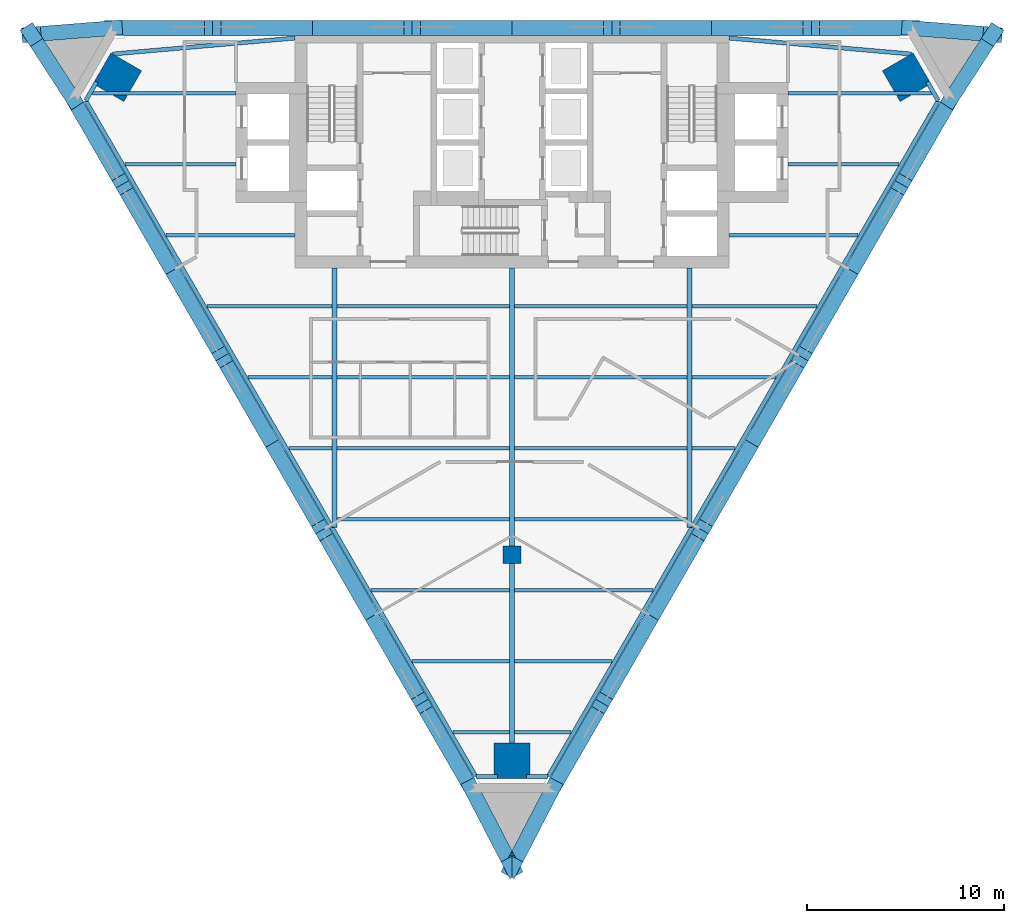
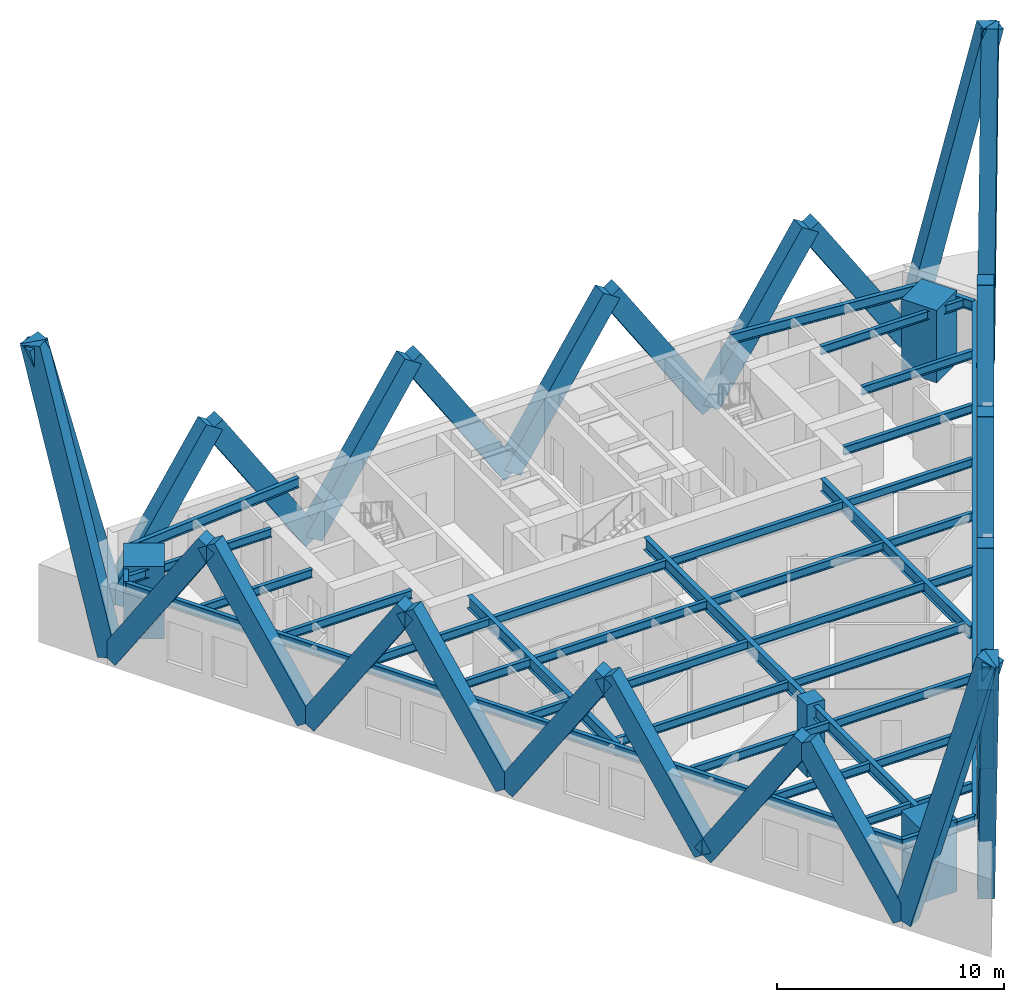
# One storey, part 1 of 8: 38 beams, 30 members, 4 columns.
"""IFC4 building model written with IfcOpenShell, lengths in metres."""

from ifc_helpers import new_model, si_unit, direction, frame, origin, origin_2d, place, context, subcontext, project, spatial, rectangle, i_section, extrude, material, material_profile, profile_set, type_object, element, save


model = new_model("IFC4")

# Units and contexts
model_context = context("Model", 3, precision=1e-05, world=origin(), true_north=direction((0.0, 1.0)))
body_context = subcontext(model_context, "Body", "Model", "MODEL_VIEW")
ifc_project = project(units=[si_unit("LENGTHUNIT", "METRE"), si_unit("AREAUNIT", "SQUARE_METRE"), si_unit("VOLUMEUNIT", "CUBIC_METRE"), si_unit("PLANEANGLEUNIT", "RADIAN"), si_unit("MASSUNIT", "GRAM", prefix="KILO")], contexts=[model_context])

# Site, building, storey
site_placement = place(None, origin())
site = spatial("IfcSite", under=ifc_project, at=site_placement, CompositionType="ELEMENT")
building_placement = place(site_placement, origin())
building = spatial("IfcBuilding", under=site, at=building_placement, Name="Aloe Facet Convention Tower", CompositionType="ELEMENT")
storey_placement = place(building_placement, frame((0.0, 0.0, 128.60009765625)))
storey = spatial("IfcBuildingStorey", under=building, at=storey_placement, Name="L32", CompositionType="ELEMENT", Elevation=128.60009765625)

# Columns
ifc_material_1 = material(Name="Concrete C70/85", Category="concrete")
ifc_material_profile_1 = material_profile(ifc_material_1, rectangle(XDim=0.89990234375, YDim=0.89990234375, at=origin_2d()), Name="SF-GC-Z3")
ifc_profile_set_1 = profile_set([ifc_material_profile_1], Name="Concrete C70/85")
column_type_1 = type_object("IfcColumnType", Name="SF-GC-Z3", PredefinedType="COLUMN", material=ifc_profile_set_1)
column_placement = place(storey_placement, frame((80.0, 108.0, 0.0), z_axis=(0.0, 0.0, 1.0), x_axis=(1.0, 0.0, 0.0)))
element("IfcColumn", 1, at=column_placement, inside=storey, type_object=column_type_1, Name="Gravity column GC-Z3-9D", PredefinedType="COLUMN", context=body_context, shape_type="SweptSolid", body=[
    extrude(rectangle(XDim=0.89990234375, YDim=0.89990234375, at=origin_2d()), origin(), (0.0, 0.0, 1.0), 3.89990234375),
])
ifc_material_2 = material(Name="Concrete C80/95", Category="concrete")
ifc_material_profile_2 = material_profile(ifc_material_2, rectangle(XDim=1.800048828125, YDim=1.800048828125, at=origin_2d()), Name="STW-MC-Z3")
ifc_profile_set_2 = profile_set([ifc_material_profile_2], Name="Concrete C80/95")
column_type_2 = type_object("IfcColumnType", Name="STW-MC-Z3", PredefinedType="COLUMN", material=ifc_profile_set_2)
for number, where, z_axis, x_axis, name in (
    (2, (100.00732421875, 132.208251953125, 0.0), (0.0, 0.0, 1.0), (-0.5, 0.866025403784, 0.0), "Mega-column MC-NE-L32"),
    (3, (59.99267578125, 132.208251953125, 0.0), (0.0, 0.0, 1.0), (-0.5, -0.866025403784, 0.0), "Mega-column MC-NW-L32"),
    (4, (80.0, 97.55419921875, 0.0), (0.0, 0.0, 1.0), (1.0, 0.0, 0.0), "Mega-column MC-S-L32"),
):
    element("IfcColumn", number, at=place(storey_placement, frame(where, z_axis=z_axis, x_axis=x_axis)), inside=storey, type_object=column_type_2, Name=name, PredefinedType="COLUMN", context=body_context, shape_type="SweptSolid", body=[
        extrude(rectangle(XDim=1.800048828125, YDim=1.800048828125, at=origin_2d()), origin(), (0.0, 0.0, 1.0), 3.89990234375),
    ])

# Beams
ifc_material_3 = material(Name="Steel S355", Category="steel")
ifc_material_profile_3 = material_profile(ifc_material_3, i_section(OverallWidth=0.19140625, OverallDepth=0.4599609375, WebThickness=0.010009765625, FlangeThickness=0.01611328125, FilletRadius=0.01025390625, at=origin_2d()), Name="UB 457x191x82")
ifc_profile_set_3 = profile_set([ifc_material_profile_3], Name="Steel S355")
beam_type_1 = type_object("IfcBeamType", Name="SF-B-UB457x191x82", PredefinedType="BEAM", material=ifc_profile_set_3)
beam_1_placement = place(storey_placement, frame((58.73828125, 131.39990234375, 3.52001953125), z_axis=(1.0, 0.0, 0.0), x_axis=(0.0, 1.0, 0.0)))
element("IfcBeam", 5, at=beam_1_placement, inside=storey, type_object=beam_type_1, Name="Floor beam FB-Z3B-013", PredefinedType="BEAM", context=body_context, shape_type="SweptSolid", body=[
    extrude(i_section(OverallWidth=0.19140625, OverallDepth=0.4599609375, WebThickness=0.010009765625, FlangeThickness=0.01611328125, FilletRadius=0.01025390625, at=origin_2d()), origin(), (0.0, 0.0, 1.0), 7.26171875),
])
beam_2_placement = place(storey_placement, frame((60.373779296875, 127.800048828125, 3.52001953125), z_axis=(1.0, 0.0, 0.0), x_axis=(0.0, 1.0, 0.0)))
element("IfcBeam", 6, at=beam_2_placement, inside=storey, type_object=beam_type_1, Name="Floor beam FB-Z3B-014", PredefinedType="BEAM", context=body_context, shape_type="SweptSolid", body=[
    extrude(i_section(OverallWidth=0.19140625, OverallDepth=0.4599609375, WebThickness=0.010009765625, FlangeThickness=0.01611328125, FilletRadius=0.01025390625, at=origin_2d()), origin(), (0.0, 0.0, 1.0), 5.626220703125),
])
beam_3_placement = place(storey_placement, frame((62.452392578125, 124.199951171875, 3.52001953125), z_axis=(1.0, 0.0, 0.0), x_axis=(0.0, 1.0, 0.0)))
element("IfcBeam", 7, at=beam_3_placement, inside=storey, type_object=beam_type_1, Name="Floor beam FB-Z3B-015", PredefinedType="BEAM", context=body_context, shape_type="SweptSolid", body=[
    extrude(i_section(OverallWidth=0.19140625, OverallDepth=0.4599609375, WebThickness=0.010009765625, FlangeThickness=0.01611328125, FilletRadius=0.01025390625, at=origin_2d()), origin(), (0.0, 0.0, 1.0), 6.547607421875),
])
beam_4_placement = place(storey_placement, frame((64.53076171875, 120.60009765625, 3.52001953125), z_axis=(1.0, 0.0, 0.0), x_axis=(0.0, 1.0, 0.0)))
element("IfcBeam", 8, at=beam_4_placement, inside=storey, type_object=beam_type_1, Name="Floor beam FB-Z3B-016", PredefinedType="BEAM", context=body_context, shape_type="SweptSolid", body=[
    extrude(i_section(OverallWidth=0.19140625, OverallDepth=0.4599609375, WebThickness=0.010009765625, FlangeThickness=0.01611328125, FilletRadius=0.01025390625, at=origin_2d()), origin(), (0.0, 0.0, 1.0), 6.3427734375),
])
beam_5_placement = place(storey_placement, frame((66.609130859375, 117.0, 3.52001953125), z_axis=(1.0, 0.0, 0.0), x_axis=(0.0, 1.0, 0.0)))
element("IfcBeam", 9, at=beam_5_placement, inside=storey, type_object=beam_type_1, Name="Floor beam FB-Z3B-017", PredefinedType="BEAM", context=body_context, shape_type="SweptSolid", body=[
    extrude(i_section(OverallWidth=0.19140625, OverallDepth=0.4599609375, WebThickness=0.010009765625, FlangeThickness=0.01611328125, FilletRadius=0.01025390625, at=origin_2d()), origin(), (0.0, 0.0, 1.0), 4.264404296875),
])
beam_6_placement = place(storey_placement, frame((68.687744140625, 113.39990234375, 3.52001953125), z_axis=(1.0, 0.0, 0.0), x_axis=(0.0, 1.0, 0.0)))
element("IfcBeam", 10, at=beam_6_placement, inside=storey, type_object=beam_type_1, Name="Floor beam FB-Z3B-018", PredefinedType="BEAM", context=body_context, shape_type="SweptSolid", body=[
    extrude(i_section(OverallWidth=0.19140625, OverallDepth=0.4599609375, WebThickness=0.010009765625, FlangeThickness=0.01611328125, FilletRadius=0.01025390625, at=origin_2d()), origin(), (0.0, 0.0, 1.0), 2.185791015625),
])
for number, where, z_axis, x_axis, name in (
    (11, (71.12646484375, 109.800048828125, 3.52001953125), (1.0, 0.0, 0.0), (0.0, 1.0, 0.0), "Floor beam FB-Z3B-019"),
    (12, (71.12646484375, 113.39990234375, 3.52001953125), (1.0, 0.0, 0.0), (0.0, 1.0, 0.0), "Floor beam FB-Z3B-020"),
    (13, (71.12646484375, 117.0, 3.52001953125), (1.0, 0.0, 0.0), (0.0, 1.0, 0.0), "Floor beam FB-Z3B-021"),
    (14, (71.12646484375, 120.60009765625, 3.52001953125), (1.0, 0.0, 0.0), (0.0, 1.0, 0.0), "Floor beam FB-Z3B-022"),
):
    element("IfcBeam", number, at=place(storey_placement, frame(where, z_axis=z_axis, x_axis=x_axis)), inside=storey, type_object=beam_type_1, Name=name, PredefinedType="BEAM", context=body_context, shape_type="SweptSolid", body=[
        extrude(i_section(OverallWidth=0.19140625, OverallDepth=0.4599609375, WebThickness=0.010009765625, FlangeThickness=0.01611328125, FilletRadius=0.01025390625, at=origin_2d()), origin(), (0.0, 0.0, 1.0), 8.7470703125),
    ])
beam_7_placement = place(storey_placement, frame((72.844482421875, 106.199951171875, 3.52001953125), z_axis=(1.0, 0.0, 0.0), x_axis=(0.0, 1.0, 0.0)))
element("IfcBeam", 15, at=beam_7_placement, inside=storey, type_object=beam_type_1, Name="Floor beam FB-Z3B-023", PredefinedType="BEAM", context=body_context, shape_type="SweptSolid", body=[
    extrude(i_section(OverallWidth=0.19140625, OverallDepth=0.4599609375, WebThickness=0.010009765625, FlangeThickness=0.01611328125, FilletRadius=0.01025390625, at=origin_2d()), origin(), (0.0, 0.0, 1.0), 7.029052734375),
])
beam_8_placement = place(storey_placement, frame((74.923095703125, 102.60009765625, 3.52001953125), z_axis=(1.0, 0.0, 0.0), x_axis=(0.0, 1.0, 0.0)))
element("IfcBeam", 16, at=beam_8_placement, inside=storey, type_object=beam_type_1, Name="Floor beam FB-Z3B-024", PredefinedType="BEAM", context=body_context, shape_type="SweptSolid", body=[
    extrude(i_section(OverallWidth=0.19140625, OverallDepth=0.4599609375, WebThickness=0.010009765625, FlangeThickness=0.01611328125, FilletRadius=0.01025390625, at=origin_2d()), origin(), (0.0, 0.0, 1.0), 4.950439453125),
])
for number, where, z_axis, x_axis, name in (
    (17, (77.00146484375, 99.0, 3.52001953125), (1.0, 0.0, 0.0), (0.0, 1.0, 0.0), "Floor beam FB-Z3B-025"),
    (18, (80.12646484375, 99.0, 3.52001953125), (1.0, 0.0, 0.0), (0.0, 1.0, 0.0), "Floor beam FB-Z3B-026"),
):
    element("IfcBeam", number, at=place(storey_placement, frame(where, z_axis=z_axis, x_axis=x_axis)), inside=storey, type_object=beam_type_1, Name=name, PredefinedType="BEAM", context=body_context, shape_type="SweptSolid", body=[
        extrude(i_section(OverallWidth=0.19140625, OverallDepth=0.4599609375, WebThickness=0.010009765625, FlangeThickness=0.01611328125, FilletRadius=0.01025390625, at=origin_2d()), origin(), (0.0, 0.0, 1.0), 2.8720703125),
    ])
beam_9_placement = place(storey_placement, frame((80.12646484375, 102.60009765625, 3.52001953125), z_axis=(1.0, 0.0, 0.0), x_axis=(0.0, 1.0, 0.0)))
element("IfcBeam", 19, at=beam_9_placement, inside=storey, type_object=beam_type_1, Name="Floor beam FB-Z3B-027", PredefinedType="BEAM", context=body_context, shape_type="SweptSolid", body=[
    extrude(i_section(OverallWidth=0.19140625, OverallDepth=0.4599609375, WebThickness=0.010009765625, FlangeThickness=0.01611328125, FilletRadius=0.01025390625, at=origin_2d()), origin(), (0.0, 0.0, 1.0), 4.950439453125),
])
beam_10_placement = place(storey_placement, frame((80.12646484375, 106.199951171875, 3.52001953125), z_axis=(1.0, 0.0, 0.0), x_axis=(0.0, 1.0, 0.0)))
element("IfcBeam", 20, at=beam_10_placement, inside=storey, type_object=beam_type_1, Name="Floor beam FB-Z3B-028", PredefinedType="BEAM", context=body_context, shape_type="SweptSolid", body=[
    extrude(i_section(OverallWidth=0.19140625, OverallDepth=0.4599609375, WebThickness=0.010009765625, FlangeThickness=0.01611328125, FilletRadius=0.01025390625, at=origin_2d()), origin(), (0.0, 0.0, 1.0), 7.029052734375),
])
for number, where, z_axis, x_axis, name in (
    (21, (80.12646484375, 109.800048828125, 3.52001953125), (1.0, 0.0, 0.0), (0.0, 1.0, 0.0), "Floor beam FB-Z3B-029"),
    (22, (80.12646484375, 113.39990234375, 3.52001953125), (1.0, 0.0, 0.0), (0.0, 1.0, 0.0), "Floor beam FB-Z3B-030"),
    (23, (80.12646484375, 117.0, 3.52001953125), (1.0, 0.0, 0.0), (0.0, 1.0, 0.0), "Floor beam FB-Z3B-031"),
    (24, (80.12646484375, 120.60009765625, 3.52001953125), (1.0, 0.0, 0.0), (0.0, 1.0, 0.0), "Floor beam FB-Z3B-032"),
):
    element("IfcBeam", number, at=place(storey_placement, frame(where, z_axis=z_axis, x_axis=x_axis)), inside=storey, type_object=beam_type_1, Name=name, PredefinedType="BEAM", context=body_context, shape_type="SweptSolid", body=[
        extrude(i_section(OverallWidth=0.19140625, OverallDepth=0.4599609375, WebThickness=0.010009765625, FlangeThickness=0.01611328125, FilletRadius=0.01025390625, at=origin_2d()), origin(), (0.0, 0.0, 1.0), 8.7470703125),
    ])
beam_11_placement = place(storey_placement, frame((89.12646484375, 113.39990234375, 3.52001953125), z_axis=(1.0, 0.0, 0.0), x_axis=(0.0, 1.0, 0.0)))
element("IfcBeam", 25, at=beam_11_placement, inside=storey, type_object=beam_type_1, Name="Floor beam FB-Z3B-033", PredefinedType="BEAM", context=body_context, shape_type="SweptSolid", body=[
    extrude(i_section(OverallWidth=0.19140625, OverallDepth=0.4599609375, WebThickness=0.010009765625, FlangeThickness=0.01611328125, FilletRadius=0.01025390625, at=origin_2d()), origin(), (0.0, 0.0, 1.0), 2.185791015625),
])
beam_12_placement = place(storey_placement, frame((89.12646484375, 117.0, 3.52001953125), z_axis=(1.0, 0.0, 0.0), x_axis=(0.0, 1.0, 0.0)))
element("IfcBeam", 26, at=beam_12_placement, inside=storey, type_object=beam_type_1, Name="Floor beam FB-Z3B-034", PredefinedType="BEAM", context=body_context, shape_type="SweptSolid", body=[
    extrude(i_section(OverallWidth=0.19140625, OverallDepth=0.4599609375, WebThickness=0.010009765625, FlangeThickness=0.01611328125, FilletRadius=0.01025390625, at=origin_2d()), origin(), (0.0, 0.0, 1.0), 4.264404296875),
])
beam_13_placement = place(storey_placement, frame((89.12646484375, 120.60009765625, 3.52001953125), z_axis=(1.0, 0.0, 0.0), x_axis=(0.0, 1.0, 0.0)))
element("IfcBeam", 27, at=beam_13_placement, inside=storey, type_object=beam_type_1, Name="Floor beam FB-Z3B-035", PredefinedType="BEAM", context=body_context, shape_type="SweptSolid", body=[
    extrude(i_section(OverallWidth=0.19140625, OverallDepth=0.4599609375, WebThickness=0.010009765625, FlangeThickness=0.01611328125, FilletRadius=0.01025390625, at=origin_2d()), origin(), (0.0, 0.0, 1.0), 6.3427734375),
])
beam_14_placement = place(storey_placement, frame((91.0, 124.199951171875, 3.52001953125), z_axis=(1.0, 0.0, 0.0), x_axis=(0.0, 1.0, 0.0)))
element("IfcBeam", 28, at=beam_14_placement, inside=storey, type_object=beam_type_1, Name="Floor beam FB-Z3B-036", PredefinedType="BEAM", context=body_context, shape_type="SweptSolid", body=[
    extrude(i_section(OverallWidth=0.19140625, OverallDepth=0.4599609375, WebThickness=0.010009765625, FlangeThickness=0.01611328125, FilletRadius=0.01025390625, at=origin_2d()), origin(), (0.0, 0.0, 1.0), 6.547607421875),
])
beam_15_placement = place(storey_placement, frame((94.0, 127.800048828125, 3.52001953125), z_axis=(1.0, 0.0, 0.0), x_axis=(0.0, 1.0, 0.0)))
element("IfcBeam", 29, at=beam_15_placement, inside=storey, type_object=beam_type_1, Name="Floor beam FB-Z3B-037", PredefinedType="BEAM", context=body_context, shape_type="SweptSolid", body=[
    extrude(i_section(OverallWidth=0.19140625, OverallDepth=0.4599609375, WebThickness=0.010009765625, FlangeThickness=0.01611328125, FilletRadius=0.01025390625, at=origin_2d()), origin(), (0.0, 0.0, 1.0), 5.626220703125),
])
beam_16_placement = place(storey_placement, frame((94.0, 131.39990234375, 3.52001953125), z_axis=(1.0, 0.0, 0.0), x_axis=(0.0, 1.0, 0.0)))
element("IfcBeam", 30, at=beam_16_placement, inside=storey, type_object=beam_type_1, Name="Floor beam FB-Z3B-038", PredefinedType="BEAM", context=body_context, shape_type="SweptSolid", body=[
    extrude(i_section(OverallWidth=0.19140625, OverallDepth=0.4599609375, WebThickness=0.010009765625, FlangeThickness=0.01611328125, FilletRadius=0.01025390625, at=origin_2d()), origin(), (0.0, 0.0, 1.0), 7.26171875),
])
ifc_material_4 = material(Name="Steel S355", Category="steel")
ifc_material_profile_4 = material_profile(ifc_material_4, i_section(OverallWidth=0.209228515625, OverallDepth=0.533203125, WebThickness=0.010009765625, FlangeThickness=0.015625, FilletRadius=0.0126953125, at=origin_2d()), Name="UB 533x210x92")
ifc_profile_set_4 = profile_set([ifc_material_profile_4], Name="Steel S355")
beam_type_2 = type_object("IfcBeamType", Name="SF-B-UB533x210x92", PredefinedType="BEAM", material=ifc_profile_set_4)
beam_17_placement = place(storey_placement, frame((58.385986328125, 131.016357421875, 3.4833984375), z_axis=(0.50002983664, 0.866008176907, 0.0), x_axis=(-0.866008176907, 0.50002983664, 0.0)))
element("IfcBeam", 31, at=beam_17_placement, inside=storey, type_object=beam_type_2, Name="Floor beam FB-Z3B-001", PredefinedType="BEAM", context=body_context, shape_type="SweptSolid", body=[
    extrude(i_section(OverallWidth=0.209228515625, OverallDepth=0.533203125, WebThickness=0.010009765625, FlangeThickness=0.015625, FilletRadius=0.0126953125, at=origin_2d()), origin(), (0.0, 0.0, 1.0), 1.10009765625),
])
beam_18_placement = place(storey_placement, frame((59.75390625, 133.38525390625, 3.4833984375), z_axis=(0.996184118201, 0.087276587035, 0.0), x_axis=(-0.087276587035, 0.996184118201, 0.0)))
element("IfcBeam", 32, at=beam_18_placement, inside=storey, type_object=beam_type_2, Name="Floor beam FB-Z3B-002", PredefinedType="BEAM", context=body_context, shape_type="SweptSolid", body=[
    extrude(i_section(OverallWidth=0.209228515625, OverallDepth=0.533203125, WebThickness=0.010009765625, FlangeThickness=0.015625, FilletRadius=0.0126953125, at=origin_2d()), origin(), (0.0, 0.0, 1.0), 9.281494140625),
])
beam_19_placement = place(storey_placement, frame((78.16455078125, 96.7587890625, 3.4833984375), z_axis=(-0.499999016722, 0.866025971479, 0.0), x_axis=(-0.866025971479, -0.499999016722, 0.0)))
element("IfcBeam", 33, at=beam_19_placement, inside=storey, type_object=beam_type_2, Name="Floor beam FB-Z3B-003", PredefinedType="BEAM", context=body_context, shape_type="SweptSolid", body=[
    extrude(i_section(OverallWidth=0.209228515625, OverallDepth=0.533203125, WebThickness=0.010009765625, FlangeThickness=0.015625, FilletRadius=0.0126953125, at=origin_2d()), origin(), (0.0, 0.0, 1.0), 39.55712890625),
])
for number, where, z_axis, x_axis, name in (
    (34, (79.2646484375, 96.7587890625, 3.4833984375), (-1.0, 0.0, 0.0), (0.0, -1.0, 0.0), "Floor beam FB-Z3B-004"),
    (35, (81.83544921875, 96.7587890625, 3.4833984375), (-1.0, 0.0, 0.0), (0.0, -1.0, 0.0), "Floor beam FB-Z3B-005"),
):
    element("IfcBeam", number, at=place(storey_placement, frame(where, z_axis=z_axis, x_axis=x_axis)), inside=storey, type_object=beam_type_2, Name=name, PredefinedType="BEAM", context=body_context, shape_type="SweptSolid", body=[
        extrude(i_section(OverallWidth=0.209228515625, OverallDepth=0.533203125, WebThickness=0.010009765625, FlangeThickness=0.015625, FilletRadius=0.0126953125, at=origin_2d()), origin(), (0.0, 0.0, 1.0), 1.10009765625),
    ])
beam_20_placement = place(storey_placement, frame((100.24609375, 133.38525390625, 3.4833984375), z_axis=(-0.996184118201, 0.087276587035, 0.0), x_axis=(-0.087276587035, -0.996184118201, 0.0)))
element("IfcBeam", 36, at=beam_20_placement, inside=storey, type_object=beam_type_2, Name="Floor beam FB-Z3B-006", PredefinedType="BEAM", context=body_context, shape_type="SweptSolid", body=[
    extrude(i_section(OverallWidth=0.209228515625, OverallDepth=0.533203125, WebThickness=0.010009765625, FlangeThickness=0.015625, FilletRadius=0.0126953125, at=origin_2d()), origin(), (0.0, 0.0, 1.0), 9.281494140625),
])
beam_21_placement = place(storey_placement, frame((101.06396484375, 131.968994140625, 3.4833984375), z_axis=(0.50002983664, -0.866008176907, 0.0), x_axis=(0.866008176907, 0.50002983664, 0.0)))
element("IfcBeam", 37, at=beam_21_placement, inside=storey, type_object=beam_type_2, Name="Floor beam FB-Z3B-007", PredefinedType="BEAM", context=body_context, shape_type="SweptSolid", body=[
    extrude(i_section(OverallWidth=0.209228515625, OverallDepth=0.533203125, WebThickness=0.010009765625, FlangeThickness=0.015625, FilletRadius=0.0126953125, at=origin_2d()), origin(), (0.0, 0.0, 1.0), 1.10009765625),
])
beam_22_placement = place(storey_placement, frame((101.614013671875, 131.016357421875, 3.4833984375), z_axis=(-0.499999016722, -0.866025971479, 0.0), x_axis=(0.866025971479, -0.499999016722, 0.0)))
element("IfcBeam", 38, at=beam_22_placement, inside=storey, type_object=beam_type_2, Name="Floor beam FB-Z3B-008", PredefinedType="BEAM", context=body_context, shape_type="SweptSolid", body=[
    extrude(i_section(OverallWidth=0.209228515625, OverallDepth=0.533203125, WebThickness=0.010009765625, FlangeThickness=0.015625, FilletRadius=0.0126953125, at=origin_2d()), origin(), (0.0, 0.0, 1.0), 39.55712890625),
])
ifc_material_5 = material(Name="Steel S355", Category="steel")
ifc_material_profile_5 = material_profile(ifc_material_5, i_section(OverallWidth=0.2529296875, OverallDepth=0.677978515625, WebThickness=0.01171875, FlangeThickness=0.01611328125, FilletRadius=0.01513671875, at=origin_2d()), Name="UB 686x254x125")
ifc_profile_set_5 = profile_set([ifc_material_profile_5], Name="Steel S355")
beam_type_3 = type_object("IfcBeamType", Name="SF-B-UB686x254x125", PredefinedType="BEAM", material=ifc_profile_set_5)
beam_23_placement = place(storey_placement, frame((71.0, 122.550048828125, 3.410888671875), z_axis=(0.0, -1.0, 0.0), x_axis=(1.0, 0.0, 0.0)))
element("IfcBeam", 39, at=beam_23_placement, inside=storey, type_object=beam_type_3, Name="Floor beam FB-Z3B-009", PredefinedType="BEAM", context=body_context, shape_type="SweptSolid", body=[
    extrude(i_section(OverallWidth=0.2529296875, OverallDepth=0.677978515625, WebThickness=0.01171875, FlangeThickness=0.01611328125, FilletRadius=0.01513671875, at=origin_2d()), origin(), (0.0, 0.0, 1.0), 13.162353515625),
])
beam_24_placement = place(storey_placement, frame((80.0, 107.550048828125, 3.410888671875), z_axis=(0.0, -1.0, 0.0), x_axis=(1.0, 0.0, 0.0)))
element("IfcBeam", 40, at=beam_24_placement, inside=storey, type_object=beam_type_3, Name="Floor beam FB-Z3B-010", PredefinedType="BEAM", context=body_context, shape_type="SweptSolid", body=[
    extrude(i_section(OverallWidth=0.2529296875, OverallDepth=0.677978515625, WebThickness=0.01171875, FlangeThickness=0.01611328125, FilletRadius=0.01513671875, at=origin_2d()), origin(), (0.0, 0.0, 1.0), 10.676513671875),
])
beam_25_placement = place(storey_placement, frame((80.0, 122.550048828125, 3.410888671875), z_axis=(0.0, -1.0, 0.0), x_axis=(1.0, 0.0, 0.0)))
element("IfcBeam", 41, at=beam_25_placement, inside=storey, type_object=beam_type_3, Name="Floor beam FB-Z3B-011", PredefinedType="BEAM", context=body_context, shape_type="SweptSolid", body=[
    extrude(i_section(OverallWidth=0.2529296875, OverallDepth=0.677978515625, WebThickness=0.01171875, FlangeThickness=0.01611328125, FilletRadius=0.01513671875, at=origin_2d()), origin(), (0.0, 0.0, 1.0), 14.10009765625),
])
beam_26_placement = place(storey_placement, frame((89.0, 122.550048828125, 3.410888671875), z_axis=(0.0, -1.0, 0.0), x_axis=(1.0, 0.0, 0.0)))
element("IfcBeam", 42, at=beam_26_placement, inside=storey, type_object=beam_type_3, Name="Floor beam FB-Z3B-012", PredefinedType="BEAM", context=body_context, shape_type="SweptSolid", body=[
    extrude(i_section(OverallWidth=0.2529296875, OverallDepth=0.677978515625, WebThickness=0.01171875, FlangeThickness=0.01611328125, FilletRadius=0.01513671875, at=origin_2d()), origin(), (0.0, 0.0, 1.0), 13.162353515625),
])

# Members
ifc_material_6 = material(Name="Concrete C60/75, bronze oxide finish", Category="concrete")
ifc_material_profile_6 = material_profile(ifc_material_6, rectangle(XDim=0.75, YDim=1.0, at=origin_2d()), Name="STW-LM")
ifc_profile_set_6 = profile_set([ifc_material_profile_6], Name="Concrete C60/75, bronze oxide finish")
member_type = type_object("IfcMemberType", Name="STW-LM", PredefinedType="BRACE", material=ifc_profile_set_6)
for number, where, z_axis, x_axis, name in (
    (43, (100.2431640625, 134.699951171875, 0.0), (-0.54430149187, 0.0, 0.838889674479), (0.0, -1.0, 0.0), "Lattice member LM-Z3-F1-R0-01"),
    (44, (90.12158203125, 134.699951171875, 0.0), (0.54430149187, 0.0, 0.838889674479), (0.0, 1.0, 0.0), "Lattice member LM-Z3-F1-R0-02"),
    (45, (90.12158203125, 134.699951171875, 0.0), (-0.54430149187, 0.0, 0.838889674479), (0.0, -1.0, 0.0), "Lattice member LM-Z3-F1-R0-03"),
    (46, (80.0, 134.699951171875, 0.0), (0.54430149187, 0.0, 0.838889674479), (0.0, 1.0, 0.0), "Lattice member LM-Z3-F1-R0-04"),
    (47, (80.0, 134.699951171875, 0.0), (-0.54430149187, 0.0, 0.838889674479), (0.0, -1.0, 0.0), "Lattice member LM-Z3-F1-R0-05"),
    (48, (69.87841796875, 134.699951171875, 0.0), (0.54430149187, 0.0, 0.838889674479), (0.0, 1.0, 0.0), "Lattice member LM-Z3-F1-R0-06"),
    (49, (69.87841796875, 134.699951171875, 0.0), (-0.54430149187, 0.0, 0.838889674479), (0.0, -1.0, 0.0), "Lattice member LM-Z3-F1-R0-07"),
    (50, (59.7568359375, 134.699951171875, 0.0), (0.54430149187, 0.0, 0.838889674479), (0.0, 1.0, 0.0), "Lattice member LM-Z3-F1-R0-08"),
    (51, (57.716796875, 131.166259765625, 0.0), (0.272138052355, -0.471383859115, 0.838891016656), (0.866037770685, 0.499978579288, 0.0), "Lattice member LM-Z3-F2-R0-01"),
):
    element("IfcMember", number, at=place(storey_placement, frame(where, z_axis=z_axis, x_axis=x_axis)), inside=storey, type_object=member_type, Name=name, PredefinedType="BRACE", context=body_context, shape_type="SweptSolid", body=[
        extrude(rectangle(XDim=0.75, YDim=1.0, at=origin_2d()), origin(), (0.0, 0.0, 1.0), 9.2978515625),
    ])
member_1_placement = place(storey_placement, frame((62.777587890625, 122.40087890625, 0.0), z_axis=(-0.272165734101, 0.471360066844, 0.838895405021), x_axis=(-0.866004820053, -0.500035650373, 0.0)))
element("IfcMember", 52, at=member_1_placement, inside=storey, type_object=member_type, Name="Lattice member LM-Z3-F2-R0-02", PredefinedType="BRACE", context=body_context, shape_type="SweptSolid", body=[
    extrude(rectangle(XDim=0.75, YDim=1.0, at=origin_2d()), origin(), (0.0, 0.0, 1.0), 9.297607421875),
])
for number, where, z_axis, x_axis, name in (
    (53, (62.777587890625, 122.40087890625, 0.0), (0.272138052355, -0.471383859115, 0.838891016656), (0.866037770685, 0.499978579288, 0.0), "Lattice member LM-Z3-F2-R0-03"),
    (54, (67.83837890625, 113.63525390625, 0.0), (-0.272162365462, 0.471380490572, 0.83888502188), (-0.866016881694, -0.500014760403, 0.0), "Lattice member LM-Z3-F2-R0-04"),
    (55, (67.83837890625, 113.63525390625, 0.0), (0.272138052355, -0.471383859115, 0.838891016656), (0.866037770685, 0.499978579288, 0.0), "Lattice member LM-Z3-F2-R0-05"),
):
    element("IfcMember", number, at=place(storey_placement, frame(where, z_axis=z_axis, x_axis=x_axis)), inside=storey, type_object=member_type, Name=name, PredefinedType="BRACE", context=body_context, shape_type="SweptSolid", body=[
        extrude(rectangle(XDim=0.75, YDim=1.0, at=origin_2d()), origin(), (0.0, 0.0, 1.0), 9.2978515625),
    ])
member_2_placement = place(storey_placement, frame((72.89892578125, 104.869873046875, 0.0), z_axis=(-0.27214142074, 0.471363435325, 0.83890140002), x_axis=(-0.866025710499, -0.499999468754, 0.0)))
element("IfcMember", 56, at=member_2_placement, inside=storey, type_object=member_type, Name="Lattice member LM-Z3-F2-R0-06", PredefinedType="BRACE", context=body_context, shape_type="SweptSolid", body=[
    extrude(rectangle(XDim=0.75, YDim=1.0, at=origin_2d()), origin(), (0.0, 0.0, 1.0), 9.297607421875),
])
for number, where, z_axis, x_axis, name in (
    (57, (72.89892578125, 104.869873046875, 0.0), (0.272162365462, -0.471380490572, 0.83888502188), (0.866016881694, 0.500014760403, 0.0), "Lattice member LM-Z3-F2-R0-07"),
    (58, (77.959716796875, 96.104248046875, 0.0), (-0.272138052355, 0.471383859115, 0.838891016656), (-0.866037770685, -0.499978579288, 0.0), "Lattice member LM-Z3-F2-R0-08"),
    (59, (82.040283203125, 96.104248046875, 0.0), (0.272138052355, 0.471383859115, 0.838891016656), (-0.866037770685, 0.499978579288, 0.0), "Lattice member LM-Z3-F3-R0-01"),
    (60, (87.10107421875, 104.869873046875, 0.0), (-0.272162365462, -0.471380490572, 0.83888502188), (0.866016881694, -0.500014760403, 0.0), "Lattice member LM-Z3-F3-R0-02"),
):
    element("IfcMember", number, at=place(storey_placement, frame(where, z_axis=z_axis, x_axis=x_axis)), inside=storey, type_object=member_type, Name=name, PredefinedType="BRACE", context=body_context, shape_type="SweptSolid", body=[
        extrude(rectangle(XDim=0.75, YDim=1.0, at=origin_2d()), origin(), (0.0, 0.0, 1.0), 9.2978515625),
    ])
member_3_placement = place(storey_placement, frame((87.10107421875, 104.869873046875, 0.0), z_axis=(0.27214142074, 0.471363435325, 0.83890140002), x_axis=(-0.866025710499, 0.499999468754, 0.0)))
element("IfcMember", 61, at=member_3_placement, inside=storey, type_object=member_type, Name="Lattice member LM-Z3-F3-R0-03", PredefinedType="BRACE", context=body_context, shape_type="SweptSolid", body=[
    extrude(rectangle(XDim=0.75, YDim=1.0, at=origin_2d()), origin(), (0.0, 0.0, 1.0), 9.297607421875),
])
for number, where, z_axis, x_axis, name in (
    (62, (92.16162109375, 113.63525390625, 0.0), (-0.272138052355, -0.471383859115, 0.838891016656), (0.866037770685, -0.499978579288, 0.0), "Lattice member LM-Z3-F3-R0-04"),
    (63, (92.16162109375, 113.63525390625, 0.0), (0.272162365462, 0.471380490572, 0.83888502188), (-0.866016881694, 0.500014760403, 0.0), "Lattice member LM-Z3-F3-R0-05"),
    (64, (97.222412109375, 122.40087890625, 0.0), (-0.272138052355, -0.471383859115, 0.838891016656), (0.866037770685, -0.499978579288, 0.0), "Lattice member LM-Z3-F3-R0-06"),
):
    element("IfcMember", number, at=place(storey_placement, frame(where, z_axis=z_axis, x_axis=x_axis)), inside=storey, type_object=member_type, Name=name, PredefinedType="BRACE", context=body_context, shape_type="SweptSolid", body=[
        extrude(rectangle(XDim=0.75, YDim=1.0, at=origin_2d()), origin(), (0.0, 0.0, 1.0), 9.2978515625),
    ])
member_4_placement = place(storey_placement, frame((97.222412109375, 122.40087890625, 0.0), z_axis=(0.272165734101, 0.471360066844, 0.838895405021), x_axis=(-0.866004820053, 0.500035650373, 0.0)))
element("IfcMember", 65, at=member_4_placement, inside=storey, type_object=member_type, Name="Lattice member LM-Z3-F3-R0-07", PredefinedType="BRACE", context=body_context, shape_type="SweptSolid", body=[
    extrude(rectangle(XDim=0.75, YDim=1.0, at=origin_2d()), origin(), (0.0, 0.0, 1.0), 9.297607421875),
])
member_5_placement = place(storey_placement, frame((102.283203125, 131.166259765625, 0.0), z_axis=(-0.272138052355, -0.471383859115, 0.838891016656), x_axis=(0.866037770685, -0.499978579288, 0.0)))
element("IfcMember", 66, at=member_5_placement, inside=storey, type_object=member_type, Name="Lattice member LM-Z3-F3-R0-08", PredefinedType="BRACE", context=body_context, shape_type="SweptSolid", body=[
    extrude(rectangle(XDim=0.75, YDim=1.0, at=origin_2d()), origin(), (0.0, 0.0, 1.0), 9.2978515625),
])
member_6_placement = place(storey_placement, frame((102.283203125, 131.166259765625, 0.0), z_axis=(0.129593976101, 0.199817312905, 0.971225227649), x_axis=(-0.838994360972, 0.544140112707, 0.0)))
element("IfcMember", 67, at=member_6_placement, inside=storey, type_object=member_type, Name="Lattice member LM-Z3-F6-R0-01", PredefinedType="BRACE", context=body_context, shape_type="SweptSolid", body=[
    extrude(rectangle(XDim=0.75, YDim=1.0, at=origin_2d()), origin(), (0.0, 0.0, 1.0), 16.06201171875),
])
for number, where, z_axis, x_axis, name in (
    (68, (100.2431640625, 134.699951171875, 0.0), (0.255389740179, -0.020089893079, 0.96662944131), (0.078421404901, 0.996920299349, 0.0), "Lattice member LM-Z3-F6-R0-03"),
    (69, (59.7568359375, 134.699951171875, 0.0), (-0.255389740179, -0.020089893079, 0.96662944131), (0.078421404901, -0.996920299349, 0.0), "Lattice member LM-Z3-F4-R0-01"),
):
    element("IfcMember", number, at=place(storey_placement, frame(where, z_axis=z_axis, x_axis=x_axis)), inside=storey, type_object=member_type, Name=name, PredefinedType="BRACE", context=body_context, shape_type="SweptSolid", body=[
        extrude(rectangle(XDim=0.75, YDim=1.0, at=origin_2d()), origin(), (0.0, 0.0, 1.0), 16.138427734375),
    ])
member_7_placement = place(storey_placement, frame((57.716796875, 131.166259765625, 0.0), z_axis=(-0.129593976101, 0.199817312905, 0.971225227649), x_axis=(-0.838994360972, -0.544140112707, 0.0)))
element("IfcMember", 70, at=member_7_placement, inside=storey, type_object=member_type, Name="Lattice member LM-Z3-F4-R0-03", PredefinedType="BRACE", context=body_context, shape_type="SweptSolid", body=[
    extrude(rectangle(XDim=0.75, YDim=1.0, at=origin_2d()), origin(), (0.0, 0.0, 1.0), 16.06201171875),
])
for number, where, z_axis, x_axis, name in (
    (71, (77.959716796875, 96.104248046875, 0.0), (0.125817292511, -0.242375564454, 0.961989654134), (0.887543333593, 0.460724246154, 0.0), "Lattice member LM-Z3-F5-R0-01"),
    (72, (82.040283203125, 96.104248046875, 0.0), (-0.125817292511, -0.242375564454, 0.961989654134), (0.887543333593, -0.460724246154, 0.0), "Lattice member LM-Z3-F5-R0-03"),
):
    element("IfcMember", number, at=place(storey_placement, frame(where, z_axis=z_axis, x_axis=x_axis)), inside=storey, type_object=member_type, Name=name, PredefinedType="BRACE", context=body_context, shape_type="SweptSolid", body=[
        extrude(rectangle(XDim=0.75, YDim=1.0, at=origin_2d()), origin(), (0.0, 0.0, 1.0), 16.21630859375),
    ])

save(model, "model.ifc")
